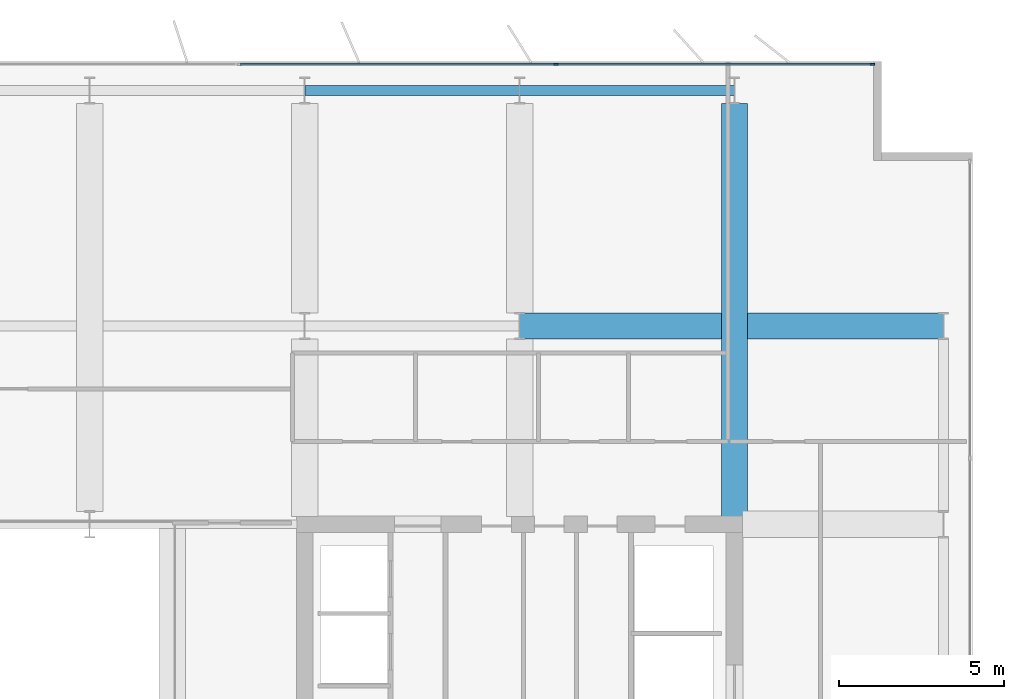
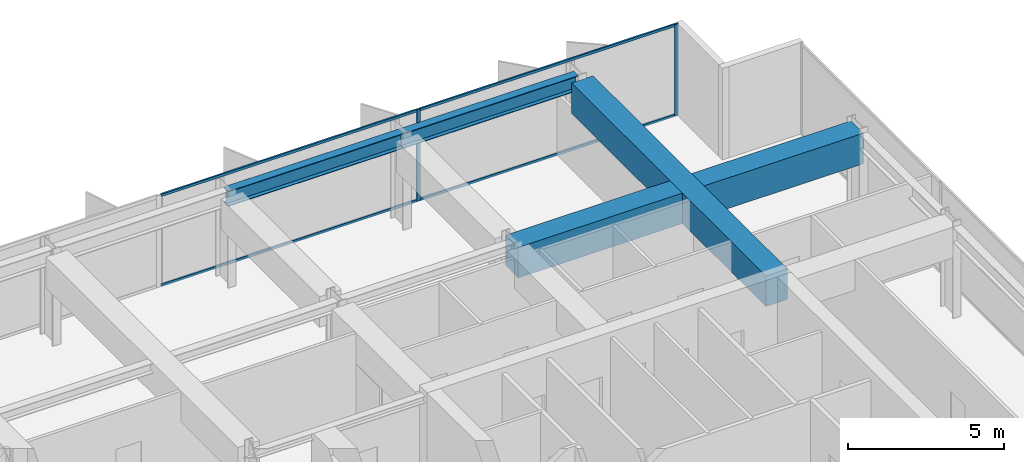
# One storey, part 13 of 24: 6 members, 4 beams, 1 element without a shape of its own.
"""IFC4 building model written with IfcOpenShell, lengths in metres."""

from ifc_helpers import new_model, si_unit, direction, frame, origin, origin_2d, place, context, subcontext, project, spatial, rectangle, i_section, extrude, material, layer, layer_set, material_profile, profile_set, type_object, element, aggregate, save


model = new_model("IFC4")

# Units and contexts
model_context = context("Model", 3, precision=1e-05, world=origin(), true_north=direction((0.0, 1.0)))
body_context = subcontext(model_context, "Body", "Model", "MODEL_VIEW")
ifc_project = project(units=[si_unit("LENGTHUNIT", "METRE"), si_unit("AREAUNIT", "SQUARE_METRE"), si_unit("VOLUMEUNIT", "CUBIC_METRE"), si_unit("PLANEANGLEUNIT", "RADIAN"), si_unit("MASSUNIT", "GRAM", prefix="KILO")], contexts=[model_context])

# Site, building, storey
site_placement = place(None, origin())
site = spatial("IfcSite", under=ifc_project, at=site_placement, CompositionType="ELEMENT")
building_placement = place(site_placement, origin())
building = spatial("IfcBuilding", under=site, at=building_placement, Name="Putna Gate Headquarters", CompositionType="ELEMENT")
storey_placement = place(building_placement, frame((0.0, 0.0, 251.800048828125)))
storey = spatial("IfcBuildingStorey", under=building, at=storey_placement, Name="L63", CompositionType="ELEMENT", Elevation=251.800048828125)

# Beams
ifc_material_1 = material(Name="Steel S355J2", Category="steel")
ifc_material_profile_1 = material_profile(ifc_material_1, i_section(OverallWidth=0.300048828125, OverallDepth=0.590087890625, WebThickness=0.012939453125, FlangeThickness=0.02490234375, at=origin_2d()), Name="Steel S355J2")
ifc_profile_set_1 = profile_set([ifc_material_profile_1], Name="Steel S355J2")
beam_type_1 = type_object("IfcBeamType", Name="BM-SPAN-Z4-HEA600", PredefinedType="SPANDREL", material=ifc_profile_set_1)
for number, where, z_axis, x_axis, name in (
    (1, (52.006103515625, 46.1201171875, 3.29296875), (1.0, 0.0, 0.0), (0.0, 1.0, 0.0), "L63 N Perimeter Spandrel 7"),
    (2, (58.506103515625, 46.1201171875, 3.29296875), (1.0, 0.0, 0.0), (0.0, 1.0, 0.0), "L63 N Perimeter Spandrel 8"),
):
    element("IfcBeam", number, at=place(storey_placement, frame(where, z_axis=z_axis, x_axis=x_axis)), inside=storey, type_object=beam_type_1, Name=name, PredefinedType="SPANDREL", context=body_context, shape_type="SweptSolid", body=[
        extrude(i_section(OverallWidth=0.300048828125, OverallDepth=0.590087890625, WebThickness=0.012939453125, FlangeThickness=0.02490234375, at=origin_2d()), origin(), (0.0, 0.0, 1.0), 6.48779296875),
    ])
ifc_material_2 = material(Name="Concrete C50/60", Category="concrete")
ifc_material_profile_2 = material_profile(ifc_material_2, rectangle(XDim=0.800048828125, YDim=1.199951171875, at=origin_2d()), Name="Concrete C50/60")
ifc_profile_set_2 = profile_set([ifc_material_profile_2], Name="Concrete C50/60")
beam_type_2 = type_object("IfcBeamType", Name="BM-TG-RC1200", PredefinedType="USERDEFINED", material=ifc_profile_set_2)
beam_1_placement = place(storey_placement, frame((58.506103515625, 39.0, 2.988037109375), z_axis=(1.0, 0.0, 0.0), x_axis=(0.0, 1.0, 0.0)))
element("IfcBeam", 3, at=beam_1_placement, inside=storey, type_object=beam_type_2, Name="L63 East Wing Girder Y39", ObjectType="GIRDER", PredefinedType="USERDEFINED", context=body_context, shape_type="SweptSolid", body=[
    extrude(rectangle(XDim=0.800048828125, YDim=1.199951171875, at=origin_2d()), origin(), (0.0, 0.0, 1.0), 12.807861328125),
])
beam_2_placement = place(storey_placement, frame((65.0, 33.235107421875, 2.988037109375), z_axis=(0.0, 1.0, 0.0), x_axis=(-1.0, 0.0, 0.0)))
element("IfcBeam", 4, at=beam_2_placement, inside=storey, type_object=beam_type_2, Name="L63 North Primary Girder X65", ObjectType="GIRDER", PredefinedType="USERDEFINED", context=body_context, shape_type="SweptSolid", body=[
    extrude(rectangle(XDim=0.800048828125, YDim=1.199951171875, at=origin_2d()), origin(), (0.0, 0.0, 1.0), 12.489990234375),
])

# Curtain wall, members
ifc_material_3 = material(Name="Anodised bronze aluminium curtain wall", Category="aluminium")
ifc_layer = layer(ifc_material_3, 0.139892578125)
ifc_layer_set = layer_set([ifc_layer], Name="Anodised bronze aluminium curtain wall")
curtain_wall_type = type_object("IfcCurtainWallType", Name="CW-SYS-Z4", PredefinedType="USERDEFINED", material=ifc_layer_set)
curtain_wall_placement = place(storey_placement, origin())
curtain_wall = element("IfcCurtainWall", 5, at=curtain_wall_placement, inside=storey, type_object=curtain_wall_type, Name="L63 North East Curtain Wall", ObjectType="STICK CURTAIN WALL", PredefinedType="USERDEFINED")
ifc_material_4 = material(Name="Anodised bronze aluminium EN AW-6060", Category="aluminium")
ifc_material_profile_3 = material_profile(ifc_material_4, rectangle(XDim=0.06005859375, YDim=0.139892578125, at=origin_2d()), Name="Anodised bronze aluminium EN AW-6060")
ifc_profile_set_3 = profile_set([ifc_material_profile_3], Name="Anodised bronze aluminium EN AW-6060")
member_type_1 = type_object("IfcMemberType", Name="MULL-CWM-4", PredefinedType="MULLION", material=ifc_profile_set_3)
member_1_placement = place(storey_placement, frame((59.60009765625, 46.919921875, 0.0), z_axis=(0.0, 0.0, 1.0), x_axis=(0.0, 1.0, 0.0)))
member_1 = element("IfcMember", 6, at=member_1_placement, type_object=member_type_1, Name="CWS-4 mullion 2", PredefinedType="MULLION", context=body_context, shape_type="SweptSolid", body=[
    extrude(rectangle(XDim=0.06005859375, YDim=0.139892578125, at=origin_2d()), origin(), (0.0, 0.0, 1.0), 3.587890625),
])
member_2_placement = place(storey_placement, frame((69.169921875, 46.919921875, 0.0), z_axis=(0.0, 0.0, 1.0), x_axis=(0.0, 1.0, 0.0)))
member_2 = element("IfcMember", 7, at=member_2_placement, type_object=member_type_1, Name="CWS-4 mullion 3", PredefinedType="MULLION", context=body_context, shape_type="SweptSolid", body=[
    extrude(rectangle(XDim=0.06005859375, YDim=0.139892578125, at=origin_2d()), origin(), (0.0, 0.0, 1.0), 3.587890625),
])
ifc_material_profile_4 = material_profile(ifc_material_4, rectangle(XDim=0.06005859375, YDim=0.10009765625, at=origin_2d()), Name="Anodised bronze aluminium EN AW-6060")
ifc_profile_set_4 = profile_set([ifc_material_profile_4], Name="Anodised bronze aluminium EN AW-6060")
member_type_2 = type_object("IfcMemberType", Name="TRAN-CWT-4", PredefinedType="USERDEFINED", material=ifc_profile_set_4)
member_3_placement = place(storey_placement, frame((50.06005859375, 46.919921875, 0.030029296875), z_axis=(1.0, 0.0, 0.0), x_axis=(0.0, 1.0, 0.0)))
member_3 = element("IfcMember", 8, at=member_3_placement, type_object=member_type_2, Name="CWS-4 transom 1.1", ObjectType="TRANSOM", PredefinedType="USERDEFINED", context=body_context, shape_type="SweptSolid", body=[
    extrude(rectangle(XDim=0.06005859375, YDim=0.10009765625, at=origin_2d()), origin(), (0.0, 0.0, 1.0), 9.510009765625),
])
member_4_placement = place(storey_placement, frame((50.06005859375, 46.919921875, 3.557861328125), z_axis=(1.0, 0.0, 0.0), x_axis=(0.0, 1.0, 0.0)))
member_4 = element("IfcMember", 9, at=member_4_placement, type_object=member_type_2, Name="CWS-4 transom 1.2", ObjectType="TRANSOM", PredefinedType="USERDEFINED", context=body_context, shape_type="SweptSolid", body=[
    extrude(rectangle(XDim=0.06005859375, YDim=0.10009765625, at=origin_2d()), origin(), (0.0, 0.0, 1.0), 9.510009765625),
])
member_5_placement = place(storey_placement, frame((59.6298828125, 46.919921875, 0.030029296875), z_axis=(1.0, 0.0, 0.0), x_axis=(0.0, 1.0, 0.0)))
member_5 = element("IfcMember", 10, at=member_5_placement, type_object=member_type_2, Name="CWS-4 transom 2.1", ObjectType="TRANSOM", PredefinedType="USERDEFINED", context=body_context, shape_type="SweptSolid", body=[
    extrude(rectangle(XDim=0.06005859375, YDim=0.10009765625, at=origin_2d()), origin(), (0.0, 0.0, 1.0), 9.510009765625),
])
member_6_placement = place(storey_placement, frame((59.6298828125, 46.919921875, 3.557861328125), z_axis=(1.0, 0.0, 0.0), x_axis=(0.0, 1.0, 0.0)))
member_6 = element("IfcMember", 11, at=member_6_placement, type_object=member_type_2, Name="CWS-4 transom 2.2", ObjectType="TRANSOM", PredefinedType="USERDEFINED", context=body_context, shape_type="SweptSolid", body=[
    extrude(rectangle(XDim=0.06005859375, YDim=0.10009765625, at=origin_2d()), origin(), (0.0, 0.0, 1.0), 9.510009765625),
])
aggregate(curtain_wall, [member_1, member_2, member_3, member_4, member_5, member_6])

save(model, "model.ifc")
